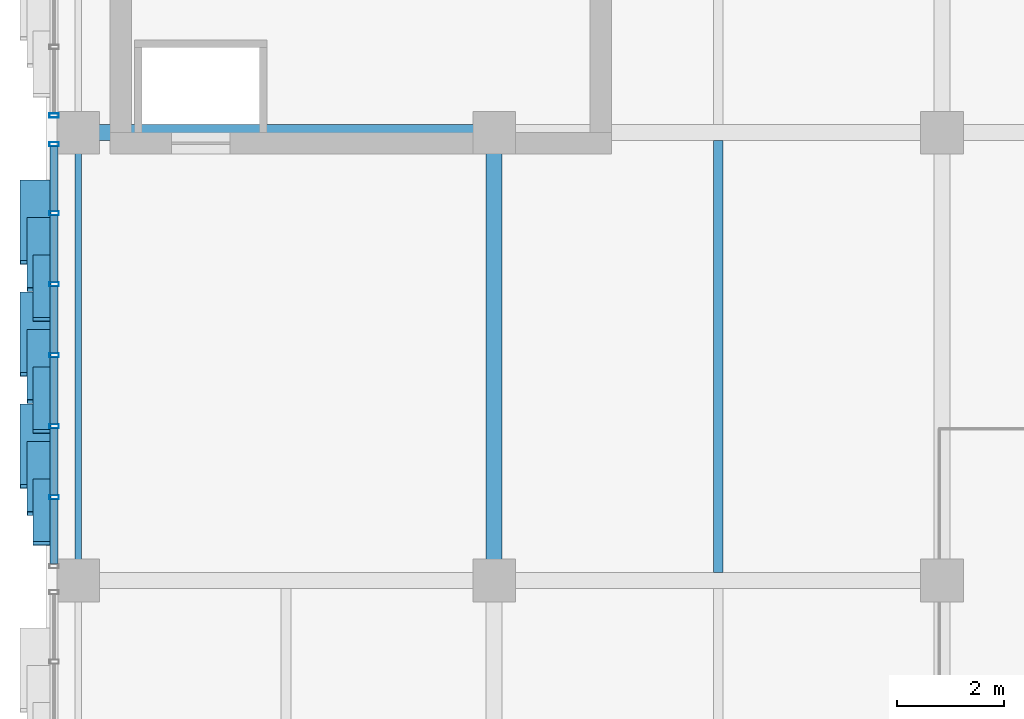
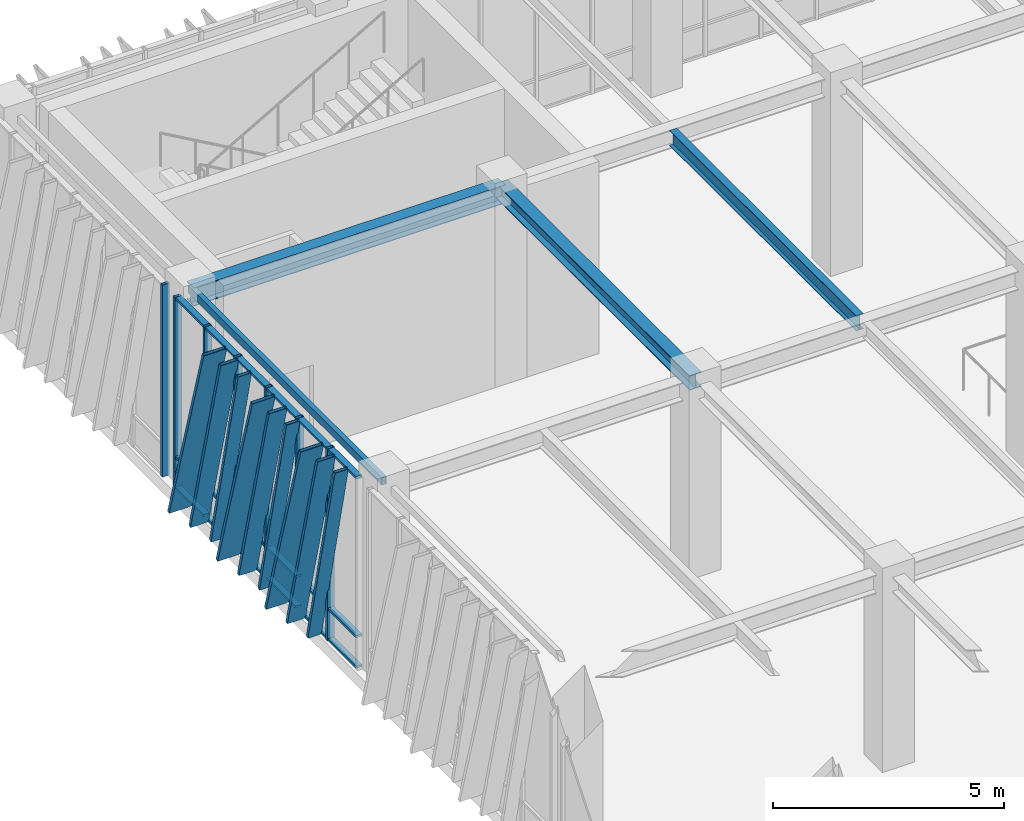
# One storey, part 44 of 139: 34 members, 4 beams, 2 elements without a shape of their own.
"""IFC4 building model written with IfcOpenShell, lengths in metres."""

from ifc_helpers import new_model, si_unit, direction, frame, origin, origin_2d, place, context, subcontext, project, spatial, hollow_rectangle, i_section, extrude, material, layer, layer_set, material_profile, profile_set, type_object, element, aggregate, save


model = new_model("IFC4")

# Units and contexts
model_context = context("Model", 3, precision=1e-05, world=origin(), true_north=direction((0.0, 1.0)))
body_context = subcontext(model_context, "Body", "Model", "MODEL_VIEW")
ifc_project = project(units=[si_unit("LENGTHUNIT", "METRE"), si_unit("AREAUNIT", "SQUARE_METRE"), si_unit("VOLUMEUNIT", "CUBIC_METRE"), si_unit("PLANEANGLEUNIT", "RADIAN"), si_unit("MASSUNIT", "GRAM", prefix="KILO")], contexts=[model_context])

# Site, building, storey
site_placement = place(None, origin())
site = spatial("IfcSite", under=ifc_project, at=site_placement, CompositionType="ELEMENT")
building_placement = place(site_placement, origin())
building = spatial("IfcBuilding", under=site, at=building_placement, Name="Zayran Congress Hotel", CompositionType="ELEMENT")
storey_placement = place(building_placement, frame((0.0, 0.0, 5.39990234375)))
storey = spatial("IfcBuildingStorey", under=building, at=storey_placement, Name="L01", CompositionType="ELEMENT", Elevation=5.39990234375)

# Beams
ifc_material_1 = material(Name="Steel S355", Category="steel")
ifc_material_profile_1 = material_profile(ifc_material_1, i_section(OverallWidth=0.300048828125, OverallDepth=0.489990234375, WebThickness=0.011962890625, FlangeThickness=0.02294921875, at=origin_2d()), Name="HEA 500")
ifc_profile_set_1 = profile_set([ifc_material_profile_1], Name="Steel S355")
beam_type_1 = type_object("IfcBeamType", Name="TP-BM-05", PredefinedType="BEAM", material=ifc_profile_set_1)
beam_1_placement = place(storey_placement, frame((9.0, 109.60009765625, 4.835205078125), z_axis=(1.0, 0.0, 0.0), x_axis=(0.0, 1.0, 0.0)))
element("IfcBeam", 1, at=beam_1_placement, inside=storey, type_object=beam_type_1, Name="BM-V1-L01-0551", PredefinedType="BEAM", context=body_context, shape_type="SweptSolid", body=[
    extrude(i_section(OverallWidth=0.300048828125, OverallDepth=0.489990234375, WebThickness=0.011962890625, FlangeThickness=0.02294921875, at=origin_2d()), origin(), (0.0, 0.0, 1.0), 7.800048828125),
])
ifc_material_profile_2 = material_profile(ifc_material_1, i_section(OverallWidth=0.300048828125, OverallDepth=0.389892578125, WebThickness=0.010986328125, FlangeThickness=0.01904296875, at=origin_2d()), Name="HEA 400")
ifc_profile_set_2 = profile_set([ifc_material_profile_2], Name="Steel S355")
beam_type_2 = type_object("IfcBeamType", Name="TP-BM-06", PredefinedType="BEAM", material=ifc_profile_set_2)
beam_2_placement = place(storey_placement, frame((16.800048828125, 101.199951171875, 4.885009765625), z_axis=(0.0, 1.0, 0.0), x_axis=(-1.0, 0.0, 0.0)))
element("IfcBeam", 2, at=beam_2_placement, inside=storey, type_object=beam_type_2, Name="BM-V1-L01-0580", PredefinedType="BEAM", context=body_context, shape_type="SweptSolid", body=[
    extrude(i_section(OverallWidth=0.300048828125, OverallDepth=0.389892578125, WebThickness=0.010986328125, FlangeThickness=0.01904296875, at=origin_2d()), origin(), (0.0, 0.0, 1.0), 8.400146484375),
])
ifc_material_profile_3 = material_profile(ifc_material_1, i_section(OverallWidth=0.179931640625, OverallDepth=0.39990234375, WebThickness=0.008544921875, FlangeThickness=0.013427734375, at=origin_2d()), Name="IPE 400")
ifc_profile_set_3 = profile_set([ifc_material_profile_3], Name="Steel S355")
beam_type_3 = type_object("IfcBeamType", Name="TP-JS-03", PredefinedType="JOIST", material=ifc_profile_set_3)
beam_3_placement = place(storey_placement, frame((21.0, 101.35009765625, 4.880126953125), z_axis=(0.0, 1.0, 0.0), x_axis=(-1.0, 0.0, 0.0)))
element("IfcBeam", 3, at=beam_3_placement, inside=storey, type_object=beam_type_3, Name="JST-V1-L01-0624", PredefinedType="JOIST", context=body_context, shape_type="SweptSolid", body=[
    extrude(i_section(OverallWidth=0.179931640625, OverallDepth=0.39990234375, WebThickness=0.008544921875, FlangeThickness=0.013427734375, at=origin_2d()), origin(), (0.0, 0.0, 1.0), 8.099853515625),
])
ifc_material_profile_4 = material_profile(ifc_material_1, hollow_rectangle(XDim=0.1201171875, YDim=0.199951171875, WallThickness=0.008056640625, at=origin_2d()), Name="RHS 200x120x8")
ifc_profile_set_4 = profile_set([ifc_material_profile_4], Name="Steel S355")
beam_type_4 = type_object("IfcBeamType", Name="TP-SP-02", PredefinedType="SPANDREL", material=ifc_profile_set_4)
beam_4_placement = place(storey_placement, frame((9.0, 101.199951171875, 4.97998046875), z_axis=(0.0, 1.0, 0.0), x_axis=(-1.0, 0.0, 0.0)))
element("IfcBeam", 4, at=beam_4_placement, inside=storey, type_object=beam_type_4, Name="BM-V1-L01-0575", PredefinedType="SPANDREL", context=body_context, shape_type="SweptSolid", body=[
    extrude(hollow_rectangle(XDim=0.1201171875, YDim=0.199951171875, WallThickness=0.008056640625, at=origin_2d()), origin(), (0.0, 0.0, 1.0), 8.400146484375),
])

# Curtain wall, members
ifc_material_2 = material(Name="Anodised aluminium and low-E insulated glass", Category="aluminium")
ifc_layer_1 = layer(ifc_material_2, 0.179931640625)
ifc_layer_set_1 = layer_set([ifc_layer_1], Name="Anodised aluminium and low-E insulated glass")
curtain_wall_type_1 = type_object("IfcCurtainWallType", Name="CW-V1W-L01-CW-31-7990-5080", PredefinedType="USERDEFINED", material=ifc_layer_set_1)
curtain_wall_1_placement = place(storey_placement, origin())
curtain_wall_1 = element("IfcCurtainWall", 5, at=curtain_wall_1_placement, inside=storey, type_object=curtain_wall_type_1, Name="CW-V1W-L01-4", ObjectType="CURTAIN WALL", PredefinedType="USERDEFINED")
ifc_material_3 = material(Name="Anodised aluminium framing", Category="aluminium")
ifc_material_profile_5 = material_profile(ifc_material_3, hollow_rectangle(XDim=0.080078125, YDim=0.179931640625, WallThickness=0.0048828125, at=origin_2d()), Name="RHS 180x80x5")
ifc_profile_set_5 = profile_set([ifc_material_profile_5], Name="Anodised aluminium framing")
member_type_1 = type_object("IfcMemberType", Name="TP-CWM-01", PredefinedType="MULLION", material=ifc_profile_set_5)
member_1_placement = place(storey_placement, frame((8.550048828125, 109.3798828125, 0.0), z_axis=(0.0, 0.0, 1.0), x_axis=(0.0, 1.0, 0.0)))
member_1 = element("IfcMember", 6, at=member_1_placement, type_object=member_type_1, Name="CW-V1W-L01-4-M00", PredefinedType="MULLION", context=body_context, shape_type="SweptSolid", body=[
    extrude(hollow_rectangle(XDim=0.080078125, YDim=0.179931640625, WallThickness=0.0048828125, at=origin_2d()), origin(), (0.0, 0.0, 1.0), 5.080078125),
])
member_2_placement = place(storey_placement, frame((8.550048828125, 108.08837890625, 0.0), z_axis=(0.0, 0.0, 1.0), x_axis=(0.0, 1.0, 0.0)))
member_2 = element("IfcMember", 7, at=member_2_placement, type_object=member_type_1, Name="CW-V1W-L01-4-M01", PredefinedType="MULLION", context=body_context, shape_type="SweptSolid", body=[
    extrude(hollow_rectangle(XDim=0.080078125, YDim=0.179931640625, WallThickness=0.0048828125, at=origin_2d()), origin(), (0.0, 0.0, 1.0), 5.080078125),
])
member_3_placement = place(storey_placement, frame((8.550048828125, 106.756591796875, 0.0), z_axis=(0.0, 0.0, 1.0), x_axis=(0.0, 1.0, 0.0)))
member_3 = element("IfcMember", 8, at=member_3_placement, type_object=member_type_1, Name="CW-V1W-L01-4-M02", PredefinedType="MULLION", context=body_context, shape_type="SweptSolid", body=[
    extrude(hollow_rectangle(XDim=0.080078125, YDim=0.179931640625, WallThickness=0.0048828125, at=origin_2d()), origin(), (0.0, 0.0, 1.0), 5.080078125),
])
member_4_placement = place(storey_placement, frame((8.550048828125, 105.425048828125, 0.0), z_axis=(0.0, 0.0, 1.0), x_axis=(0.0, 1.0, 0.0)))
member_4 = element("IfcMember", 9, at=member_4_placement, type_object=member_type_1, Name="CW-V1W-L01-4-M03", PredefinedType="MULLION", context=body_context, shape_type="SweptSolid", body=[
    extrude(hollow_rectangle(XDim=0.080078125, YDim=0.179931640625, WallThickness=0.0048828125, at=origin_2d()), origin(), (0.0, 0.0, 1.0), 5.080078125),
])
member_5_placement = place(storey_placement, frame((8.550048828125, 104.09326171875, 0.0), z_axis=(0.0, 0.0, 1.0), x_axis=(0.0, 1.0, 0.0)))
member_5 = element("IfcMember", 10, at=member_5_placement, type_object=member_type_1, Name="CW-V1W-L01-4-M04", PredefinedType="MULLION", context=body_context, shape_type="SweptSolid", body=[
    extrude(hollow_rectangle(XDim=0.080078125, YDim=0.179931640625, WallThickness=0.0048828125, at=origin_2d()), origin(), (0.0, 0.0, 1.0), 5.080078125),
])
member_6_placement = place(storey_placement, frame((8.550048828125, 102.76171875, 0.0), z_axis=(0.0, 0.0, 1.0), x_axis=(0.0, 1.0, 0.0)))
member_6 = element("IfcMember", 11, at=member_6_placement, type_object=member_type_1, Name="CW-V1W-L01-4-M05", PredefinedType="MULLION", context=body_context, shape_type="SweptSolid", body=[
    extrude(hollow_rectangle(XDim=0.080078125, YDim=0.179931640625, WallThickness=0.0048828125, at=origin_2d()), origin(), (0.0, 0.0, 1.0), 5.080078125),
])

# Curtain wall, member
ifc_layer_2 = layer(ifc_material_2, 0.179931640625)
ifc_layer_set_2 = layer_set([ifc_layer_2], Name="Anodised aluminium and low-E insulated glass")
curtain_wall_type_2 = type_object("IfcCurtainWallType", Name="CW-V1W-L01-CW-32-7940-5080", PredefinedType="USERDEFINED", material=ifc_layer_set_2)
curtain_wall_2_placement = place(storey_placement, origin())
curtain_wall_2 = element("IfcCurtainWall", 12, at=curtain_wall_2_placement, inside=storey, type_object=curtain_wall_type_2, Name="CW-V1W-L01-5", ObjectType="CURTAIN WALL", PredefinedType="USERDEFINED")
member_7_placement = place(storey_placement, frame((8.550048828125, 109.919921875, 0.0), z_axis=(0.0, 0.0, 1.0), x_axis=(0.0, 1.0, 0.0)))
member_7 = element("IfcMember", 13, at=member_7_placement, type_object=member_type_1, Name="CW-V1W-L01-5-M06", PredefinedType="MULLION", context=body_context, shape_type="SweptSolid", body=[
    extrude(hollow_rectangle(XDim=0.080078125, YDim=0.179931640625, WallThickness=0.0048828125, at=origin_2d()), origin(), (0.0, 0.0, 1.0), 5.080078125),
])
aggregate(curtain_wall_2, [member_7])

# Member
ifc_material_profile_6 = material_profile(ifc_material_3, hollow_rectangle(XDim=0.06005859375, YDim=0.14990234375, WallThickness=0.00390625, at=origin_2d()), Name="RHS 150x60x4")
ifc_profile_set_6 = profile_set([ifc_material_profile_6], Name="Anodised aluminium framing")
member_type_2 = type_object("IfcMemberType", Name="TP-CWT-01", PredefinedType="USERDEFINED", material=ifc_profile_set_6)
member_8_placement = place(storey_placement, frame((8.550048828125, 109.340087890625, 0.030029296875), z_axis=(0.0, -1.0, 0.0), x_axis=(0.0, 0.0, 1.0)))
member_8 = element("IfcMember", 14, at=member_8_placement, type_object=member_type_2, Name="CW-V1W-L01-4-T00-0", ObjectType="TRANSOM", PredefinedType="USERDEFINED", context=body_context, shape_type="SweptSolid", body=[
    extrude(hollow_rectangle(XDim=0.06005859375, YDim=0.14990234375, WallThickness=0.00390625, at=origin_2d()), origin(), (0.0, 0.0, 1.0), 1.211669921875),
])

member_9_placement = place(storey_placement, frame((8.550048828125, 109.340087890625, 0.840087890625), z_axis=(0.0, -1.0, 0.0), x_axis=(0.0, 0.0, 1.0)))
member_9 = element("IfcMember", 15, at=member_9_placement, type_object=member_type_2, Name="CW-V1W-L01-4-T00-1", ObjectType="TRANSOM", PredefinedType="USERDEFINED", context=body_context, shape_type="SweptSolid", body=[
    extrude(hollow_rectangle(XDim=0.06005859375, YDim=0.14990234375, WallThickness=0.00390625, at=origin_2d()), origin(), (0.0, 0.0, 1.0), 1.211669921875),
])

member_10_placement = place(storey_placement, frame((8.550048828125, 109.340087890625, 5.050048828125), z_axis=(0.0, -1.0, 0.0), x_axis=(0.0, 0.0, 1.0)))
member_10 = element("IfcMember", 16, at=member_10_placement, type_object=member_type_2, Name="CW-V1W-L01-4-T00-2", ObjectType="TRANSOM", PredefinedType="USERDEFINED", context=body_context, shape_type="SweptSolid", body=[
    extrude(hollow_rectangle(XDim=0.06005859375, YDim=0.14990234375, WallThickness=0.00390625, at=origin_2d()), origin(), (0.0, 0.0, 1.0), 1.211669921875),
])

member_11_placement = place(storey_placement, frame((8.550048828125, 108.04833984375, 0.030029296875), z_axis=(0.0, -1.0, 0.0), x_axis=(0.0, 0.0, 1.0)))
member_11 = element("IfcMember", 17, at=member_11_placement, type_object=member_type_2, Name="CW-V1W-L01-4-T01-0", ObjectType="TRANSOM", PredefinedType="USERDEFINED", context=body_context, shape_type="SweptSolid", body=[
    extrude(hollow_rectangle(XDim=0.06005859375, YDim=0.14990234375, WallThickness=0.00390625, at=origin_2d()), origin(), (0.0, 0.0, 1.0), 1.251708984375),
])

member_12_placement = place(storey_placement, frame((8.550048828125, 108.04833984375, 0.840087890625), z_axis=(0.0, -1.0, 0.0), x_axis=(0.0, 0.0, 1.0)))
member_12 = element("IfcMember", 18, at=member_12_placement, type_object=member_type_2, Name="CW-V1W-L01-4-T01-1", ObjectType="TRANSOM", PredefinedType="USERDEFINED", context=body_context, shape_type="SweptSolid", body=[
    extrude(hollow_rectangle(XDim=0.06005859375, YDim=0.14990234375, WallThickness=0.00390625, at=origin_2d()), origin(), (0.0, 0.0, 1.0), 1.251708984375),
])

member_13_placement = place(storey_placement, frame((8.550048828125, 108.04833984375, 5.050048828125), z_axis=(0.0, -1.0, 0.0), x_axis=(0.0, 0.0, 1.0)))
member_13 = element("IfcMember", 19, at=member_13_placement, type_object=member_type_2, Name="CW-V1W-L01-4-T01-2", ObjectType="TRANSOM", PredefinedType="USERDEFINED", context=body_context, shape_type="SweptSolid", body=[
    extrude(hollow_rectangle(XDim=0.06005859375, YDim=0.14990234375, WallThickness=0.00390625, at=origin_2d()), origin(), (0.0, 0.0, 1.0), 1.251708984375),
])

member_14_placement = place(storey_placement, frame((8.550048828125, 106.716796875, 0.030029296875), z_axis=(0.0, -1.0, 0.0), x_axis=(0.0, 0.0, 1.0)))
member_14 = element("IfcMember", 20, at=member_14_placement, type_object=member_type_2, Name="CW-V1W-L01-4-T02-0", ObjectType="TRANSOM", PredefinedType="USERDEFINED", context=body_context, shape_type="SweptSolid", body=[
    extrude(hollow_rectangle(XDim=0.06005859375, YDim=0.14990234375, WallThickness=0.00390625, at=origin_2d()), origin(), (0.0, 0.0, 1.0), 1.251708984375),
])

member_15_placement = place(storey_placement, frame((8.550048828125, 106.716796875, 0.840087890625), z_axis=(0.0, -1.0, 0.0), x_axis=(0.0, 0.0, 1.0)))
member_15 = element("IfcMember", 21, at=member_15_placement, type_object=member_type_2, Name="CW-V1W-L01-4-T02-1", ObjectType="TRANSOM", PredefinedType="USERDEFINED", context=body_context, shape_type="SweptSolid", body=[
    extrude(hollow_rectangle(XDim=0.06005859375, YDim=0.14990234375, WallThickness=0.00390625, at=origin_2d()), origin(), (0.0, 0.0, 1.0), 1.251708984375),
])

member_16_placement = place(storey_placement, frame((8.550048828125, 106.716796875, 5.050048828125), z_axis=(0.0, -1.0, 0.0), x_axis=(0.0, 0.0, 1.0)))
member_16 = element("IfcMember", 22, at=member_16_placement, type_object=member_type_2, Name="CW-V1W-L01-4-T02-2", ObjectType="TRANSOM", PredefinedType="USERDEFINED", context=body_context, shape_type="SweptSolid", body=[
    extrude(hollow_rectangle(XDim=0.06005859375, YDim=0.14990234375, WallThickness=0.00390625, at=origin_2d()), origin(), (0.0, 0.0, 1.0), 1.251708984375),
])

member_17_placement = place(storey_placement, frame((8.550048828125, 105.385009765625, 0.030029296875), z_axis=(0.0, -1.0, 0.0), x_axis=(0.0, 0.0, 1.0)))
member_17 = element("IfcMember", 23, at=member_17_placement, type_object=member_type_2, Name="CW-V1W-L01-4-T03-0", ObjectType="TRANSOM", PredefinedType="USERDEFINED", context=body_context, shape_type="SweptSolid", body=[
    extrude(hollow_rectangle(XDim=0.06005859375, YDim=0.14990234375, WallThickness=0.00390625, at=origin_2d()), origin(), (0.0, 0.0, 1.0), 1.251708984375),
])

member_18_placement = place(storey_placement, frame((8.550048828125, 105.385009765625, 0.840087890625), z_axis=(0.0, -1.0, 0.0), x_axis=(0.0, 0.0, 1.0)))
member_18 = element("IfcMember", 24, at=member_18_placement, type_object=member_type_2, Name="CW-V1W-L01-4-T03-1", ObjectType="TRANSOM", PredefinedType="USERDEFINED", context=body_context, shape_type="SweptSolid", body=[
    extrude(hollow_rectangle(XDim=0.06005859375, YDim=0.14990234375, WallThickness=0.00390625, at=origin_2d()), origin(), (0.0, 0.0, 1.0), 1.251708984375),
])

member_19_placement = place(storey_placement, frame((8.550048828125, 105.385009765625, 5.050048828125), z_axis=(0.0, -1.0, 0.0), x_axis=(0.0, 0.0, 1.0)))
member_19 = element("IfcMember", 25, at=member_19_placement, type_object=member_type_2, Name="CW-V1W-L01-4-T03-2", ObjectType="TRANSOM", PredefinedType="USERDEFINED", context=body_context, shape_type="SweptSolid", body=[
    extrude(hollow_rectangle(XDim=0.06005859375, YDim=0.14990234375, WallThickness=0.00390625, at=origin_2d()), origin(), (0.0, 0.0, 1.0), 1.251708984375),
])

member_20_placement = place(storey_placement, frame((8.550048828125, 104.05322265625, 0.030029296875), z_axis=(0.0, -1.0, 0.0), x_axis=(0.0, 0.0, 1.0)))
member_20 = element("IfcMember", 26, at=member_20_placement, type_object=member_type_2, Name="CW-V1W-L01-4-T04-0", ObjectType="TRANSOM", PredefinedType="USERDEFINED", context=body_context, shape_type="SweptSolid", body=[
    extrude(hollow_rectangle(XDim=0.06005859375, YDim=0.14990234375, WallThickness=0.00390625, at=origin_2d()), origin(), (0.0, 0.0, 1.0), 1.25146484375),
])

member_21_placement = place(storey_placement, frame((8.550048828125, 104.05322265625, 0.840087890625), z_axis=(0.0, -1.0, 0.0), x_axis=(0.0, 0.0, 1.0)))
member_21 = element("IfcMember", 27, at=member_21_placement, type_object=member_type_2, Name="CW-V1W-L01-4-T04-1", ObjectType="TRANSOM", PredefinedType="USERDEFINED", context=body_context, shape_type="SweptSolid", body=[
    extrude(hollow_rectangle(XDim=0.06005859375, YDim=0.14990234375, WallThickness=0.00390625, at=origin_2d()), origin(), (0.0, 0.0, 1.0), 1.25146484375),
])

member_22_placement = place(storey_placement, frame((8.550048828125, 104.05322265625, 5.050048828125), z_axis=(0.0, -1.0, 0.0), x_axis=(0.0, 0.0, 1.0)))
member_22 = element("IfcMember", 28, at=member_22_placement, type_object=member_type_2, Name="CW-V1W-L01-4-T04-2", ObjectType="TRANSOM", PredefinedType="USERDEFINED", context=body_context, shape_type="SweptSolid", body=[
    extrude(hollow_rectangle(XDim=0.06005859375, YDim=0.14990234375, WallThickness=0.00390625, at=origin_2d()), origin(), (0.0, 0.0, 1.0), 1.25146484375),
])

member_23_placement = place(storey_placement, frame((8.550048828125, 102.7216796875, 0.030029296875), z_axis=(0.0, -1.0, 0.0), x_axis=(0.0, 0.0, 1.0)))
member_23 = element("IfcMember", 29, at=member_23_placement, type_object=member_type_2, Name="CW-V1W-L01-4-T05-0", ObjectType="TRANSOM", PredefinedType="USERDEFINED", context=body_context, shape_type="SweptSolid", body=[
    extrude(hollow_rectangle(XDim=0.06005859375, YDim=0.14990234375, WallThickness=0.00390625, at=origin_2d()), origin(), (0.0, 0.0, 1.0), 1.211669921875),
])

member_24_placement = place(storey_placement, frame((8.550048828125, 102.7216796875, 0.840087890625), z_axis=(0.0, -1.0, 0.0), x_axis=(0.0, 0.0, 1.0)))
member_24 = element("IfcMember", 30, at=member_24_placement, type_object=member_type_2, Name="CW-V1W-L01-4-T05-1", ObjectType="TRANSOM", PredefinedType="USERDEFINED", context=body_context, shape_type="SweptSolid", body=[
    extrude(hollow_rectangle(XDim=0.06005859375, YDim=0.14990234375, WallThickness=0.00390625, at=origin_2d()), origin(), (0.0, 0.0, 1.0), 1.211669921875),
])

member_25_placement = place(storey_placement, frame((8.550048828125, 102.7216796875, 5.050048828125), z_axis=(0.0, -1.0, 0.0), x_axis=(0.0, 0.0, 1.0)))
member_25 = element("IfcMember", 31, at=member_25_placement, type_object=member_type_2, Name="CW-V1W-L01-4-T05-2", ObjectType="TRANSOM", PredefinedType="USERDEFINED", context=body_context, shape_type="SweptSolid", body=[
    extrude(hollow_rectangle(XDim=0.06005859375, YDim=0.14990234375, WallThickness=0.00390625, at=origin_2d()), origin(), (0.0, 0.0, 1.0), 1.211669921875),
])

ifc_material_4 = material(Name="Warm bronze anodised aluminium", Category="aluminium")
ifc_material_profile_7 = material_profile(ifc_material_4, hollow_rectangle(XDim=0.080078125, YDim=0.580078125, WallThickness=0.006103515625, at=origin_2d()), Name="RHS 580x80x6")
ifc_profile_set_7 = profile_set([ifc_material_profile_7], Name="Warm bronze anodised aluminium")
member_type_3 = type_object("IfcMemberType", Name="TP-RFN-01", PredefinedType="MULLION", material=ifc_profile_set_7)
member_26_placement = place(storey_placement, frame((8.199951171875, 108.669921875, 0.0), z_axis=(0.0, -0.283989486251, 0.958827394112), x_axis=(0.0, 0.958827394112, 0.283989486251)))
member_26 = element("IfcMember", 32, at=member_26_placement, type_object=member_type_3, Name="Slanting Reed Mullion CW-31-01", PredefinedType="MULLION", context=body_context, shape_type="SweptSolid", body=[
    extrude(hollow_rectangle(XDim=0.080078125, YDim=0.580078125, WallThickness=0.006103515625, at=origin_2d()), origin(), (0.0, 0.0, 1.0), 5.29833984375),
])

member_27_placement = place(storey_placement, frame((8.199951171875, 106.570068359375, 0.0), z_axis=(0.0, -0.284031848834, 0.958814845968), x_axis=(0.0, 0.958814845968, 0.284031848834)))
member_27 = element("IfcMember", 33, at=member_27_placement, type_object=member_type_3, Name="Slanting Reed Mullion CW-31-04", PredefinedType="MULLION", context=body_context, shape_type="SweptSolid", body=[
    extrude(hollow_rectangle(XDim=0.080078125, YDim=0.580078125, WallThickness=0.006103515625, at=origin_2d()), origin(), (0.0, 0.0, 1.0), 5.29833984375),
])

member_28_placement = place(storey_placement, frame((8.199951171875, 104.469970703125, 0.0), z_axis=(0.0, -0.284031848834, 0.958814845968), x_axis=(0.0, 0.958814845968, 0.284031848834)))
member_28 = element("IfcMember", 34, at=member_28_placement, type_object=member_type_3, Name="Slanting Reed Mullion CW-31-07", PredefinedType="MULLION", context=body_context, shape_type="SweptSolid", body=[
    extrude(hollow_rectangle(XDim=0.080078125, YDim=0.580078125, WallThickness=0.006103515625, at=origin_2d()), origin(), (0.0, 0.0, 1.0), 5.29833984375),
])

ifc_material_profile_8 = material_profile(ifc_material_4, hollow_rectangle(XDim=0.080078125, YDim=0.449951171875, WallThickness=0.006103515625, at=origin_2d()), Name="RHS 450x80x6")
ifc_profile_set_8 = profile_set([ifc_material_profile_8], Name="Warm bronze anodised aluminium")
member_type_4 = type_object("IfcMemberType", Name="TP-RFN-02", PredefinedType="MULLION", material=ifc_profile_set_8)
member_29_placement = place(storey_placement, frame((8.264892578125, 107.969970703125, 0.0), z_axis=(0.0, -0.250366279854, 0.968151189594), x_axis=(0.0, 0.968151189594, 0.250366279854)))
member_29 = element("IfcMember", 35, at=member_29_placement, type_object=member_type_4, Name="Slanting Reed Mullion CW-31-02", PredefinedType="MULLION", context=body_context, shape_type="SweptSolid", body=[
    extrude(hollow_rectangle(XDim=0.080078125, YDim=0.449951171875, WallThickness=0.006103515625, at=origin_2d()), origin(), (0.0, 0.0, 1.0), 5.247314453125),
])

member_30_placement = place(storey_placement, frame((8.264892578125, 105.8701171875, 0.0), z_axis=(0.0, -0.25040989041, 0.968139910749), x_axis=(0.0, 0.968139910749, 0.25040989041)))
member_30 = element("IfcMember", 36, at=member_30_placement, type_object=member_type_4, Name="Slanting Reed Mullion CW-31-05", PredefinedType="MULLION", context=body_context, shape_type="SweptSolid", body=[
    extrude(hollow_rectangle(XDim=0.080078125, YDim=0.449951171875, WallThickness=0.006103515625, at=origin_2d()), origin(), (0.0, 0.0, 1.0), 5.247314453125),
])

member_31_placement = place(storey_placement, frame((8.264892578125, 103.77001953125, 0.0), z_axis=(0.0, -0.250366279854, 0.968151189594), x_axis=(0.0, 0.968151189594, 0.250366279854)))
member_31 = element("IfcMember", 37, at=member_31_placement, type_object=member_type_4, Name="Slanting Reed Mullion CW-31-08", PredefinedType="MULLION", context=body_context, shape_type="SweptSolid", body=[
    extrude(hollow_rectangle(XDim=0.080078125, YDim=0.449951171875, WallThickness=0.006103515625, at=origin_2d()), origin(), (0.0, 0.0, 1.0), 5.247314453125),
])

ifc_material_profile_9 = material_profile(ifc_material_4, hollow_rectangle(XDim=0.080078125, YDim=0.340087890625, WallThickness=0.006103515625, at=origin_2d()), Name="RHS 340x80x6")
ifc_profile_set_9 = profile_set([ifc_material_profile_9], Name="Warm bronze anodised aluminium")
member_type_5 = type_object("IfcMemberType", Name="TP-RFN-03", PredefinedType="MULLION", material=ifc_profile_set_9)
member_32_placement = place(storey_placement, frame((8.320068359375, 107.27001953125, 0.0), z_axis=(0.0, -0.224955263497, 0.974369093016), x_axis=(0.0, 0.974369093016, 0.224955263497)))
member_32 = element("IfcMember", 38, at=member_32_placement, type_object=member_type_5, Name="Slanting Reed Mullion CW-31-03", PredefinedType="MULLION", context=body_context, shape_type="SweptSolid", body=[
    extrude(hollow_rectangle(XDim=0.080078125, YDim=0.340087890625, WallThickness=0.006103515625, at=origin_2d()), origin(), (0.0, 0.0, 1.0), 5.213623046875),
])

member_33_placement = place(storey_placement, frame((8.320068359375, 105.169921875, 0.0), z_axis=(0.0, -0.224910805794, 0.97437935602), x_axis=(0.0, 0.97437935602, 0.224910805794)))
member_33 = element("IfcMember", 39, at=member_33_placement, type_object=member_type_5, Name="Slanting Reed Mullion CW-31-06", PredefinedType="MULLION", context=body_context, shape_type="SweptSolid", body=[
    extrude(hollow_rectangle(XDim=0.080078125, YDim=0.340087890625, WallThickness=0.006103515625, at=origin_2d()), origin(), (0.0, 0.0, 1.0), 5.213623046875),
])

member_34_placement = place(storey_placement, frame((8.320068359375, 103.070068359375, 0.0), z_axis=(0.0, -0.224955263497, 0.974369093016), x_axis=(0.0, 0.974369093016, 0.224955263497)))
member_34 = element("IfcMember", 40, at=member_34_placement, type_object=member_type_5, Name="Slanting Reed Mullion CW-31-09", PredefinedType="MULLION", context=body_context, shape_type="SweptSolid", body=[
    extrude(hollow_rectangle(XDim=0.080078125, YDim=0.340087890625, WallThickness=0.006103515625, at=origin_2d()), origin(), (0.0, 0.0, 1.0), 5.213623046875),
])

aggregate(curtain_wall_1, [member_1, member_2, member_3, member_4, member_5, member_6, member_8, member_9, member_10, member_11, member_12, member_13, member_14, member_15, member_16, member_17, member_18, member_19, member_20, member_21, member_22, member_23, member_24, member_25, member_26, member_29, member_32, member_27, member_30, member_33, member_28, member_31, member_34])

save(model, "model.ifc")
